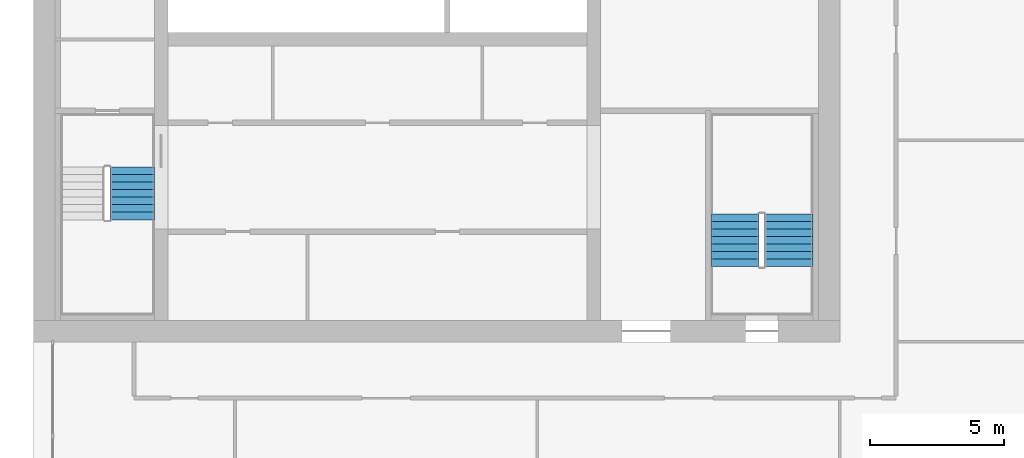
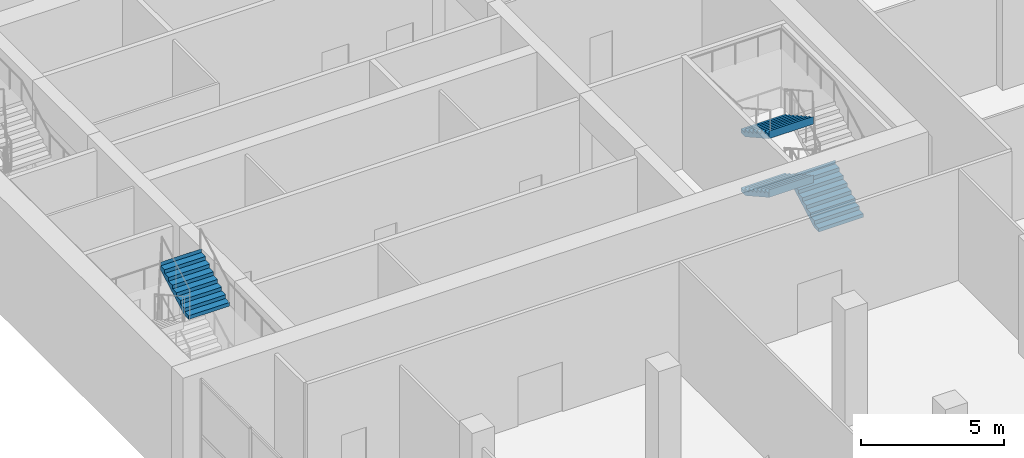
# One storey, part 14 of 19: 4 stair flights, 2 elements without a shape of their own.
"""IFC4 building model written with IfcOpenShell, lengths in metres."""

from ifc_helpers import new_model, si_unit, direction, frame, origin, place, context, subcontext, project, spatial, polyline, outline, extrude, material, type_object, element, aggregate, save


model = new_model("IFC4")

# Units and contexts
model_context = context("Model", 3, precision=1e-05, world=origin(), true_north=direction((0.0, 1.0)))
body_context = subcontext(model_context, "Body", "Model", "MODEL_VIEW")
ifc_project = project(units=[si_unit("LENGTHUNIT", "METRE"), si_unit("AREAUNIT", "SQUARE_METRE"), si_unit("VOLUMEUNIT", "CUBIC_METRE"), si_unit("PLANEANGLEUNIT", "RADIAN"), si_unit("MASSUNIT", "GRAM", prefix="KILO")], contexts=[model_context])

# Site, building, storey
site_placement = place(None, origin())
site = spatial("IfcSite", under=ifc_project, at=site_placement, CompositionType="ELEMENT")
building_placement = place(site_placement, origin())
building = spatial("IfcBuilding", under=site, at=building_placement, Name="Tamorin Gate", CompositionType="ELEMENT")
storey_placement = place(building_placement, frame((0.0, 0.0, 174.199951171875)))
storey = spatial("IfcBuildingStorey", under=building, at=storey_placement, Name="L42", CompositionType="ELEMENT", Elevation=174.199951171875)

# Stair, stair flight
ifc_material = material(Name="Concrete C40/50", Category="concrete")
stair_type = type_object("IfcStairType", Name="Exit stair", PredefinedType="HALF_TURN_STAIR", material=ifc_material)
stair_1_placement = place(storey_placement, origin())
stair_1 = element("IfcStair", 1, at=stair_1_placement, inside=storey, type_object=stair_type, Name="L42 stair ST1", PredefinedType="HALF_TURN_STAIR")
stair_flight_type = type_object("IfcStairFlightType", Name="Exit stair flight", PredefinedType="STRAIGHT", material=ifc_material)
stair_flight_1_placement = place(storey_placement, frame((33.675048828125, 64.5400390625, 3.75), z_axis=(0.0, 0.0, 1.0), x_axis=(0.0, 1.0, 0.0)))
stair_flight_1 = element("IfcStairFlight", 2, at=stair_flight_1_placement, type_object=stair_flight_type, Name="ST1 flight 4", NumberOfRisers=8, NumberOfTreads=7, PredefinedType="STRAIGHT", RiserHeight=0.15625, TreadLength=0.28, context=body_context, shape_type="SweptSolid", body=[
    extrude(outline(polyline([(-0.00048828125, 0.0), (-0.00048828125, 0.00146484375), (-0.00048828125, 0.003173828125), (-0.00048828125, 0.004638671875), (-0.00048828125, 0.006103515625), (-0.00048828125, 0.0078125), (-0.00048828125, 0.00927734375), (-0.00048828125, 0.0107421875), (-0.00048828125, 0.012451171875), (-0.00048828125, 0.013916015625), (-0.00048828125, 0.015380859375), (-0.00048828125, 0.01708984375), (-0.00048828125, 0.0185546875), (-0.00048828125, 0.02001953125), (-0.00048828125, 0.021728515625), (-0.00048828125, 0.023193359375), (-0.00048828125, 0.024658203125), (-0.00048828125, 0.0263671875), (-0.00048828125, 0.02783203125), (-0.00048828125, 0.029296875), (-0.00048828125, 0.031005859375), (-0.00048828125, 0.032470703125), (-0.00048828125, 0.033935546875), (-0.00048828125, 0.03564453125), (-0.00048828125, 0.037109375), (-0.00048828125, 0.03857421875), (-0.00048828125, 0.040283203125), (-0.00048828125, 0.041748046875), (-0.00048828125, 0.043212890625), (-0.00048828125, 0.044921875), (-0.00048828125, 0.04638671875), (-0.00048828125, 0.0478515625), (-0.00048828125, 0.049560546875), (-0.00048828125, 0.051025390625), (-0.00048828125, 0.052490234375), (-0.00048828125, 0.05419921875), (-0.00048828125, 0.0556640625), (-0.00048828125, 0.05712890625), (-0.00048828125, 0.058837890625), (-0.00048828125, 0.060302734375), (-0.00048828125, 0.061767578125), (-0.00048828125, 0.0634765625), (-0.00048828125, 0.06494140625), (-0.00048828125, 0.06640625), (-0.00048828125, 0.068115234375), (-0.00048828125, 0.069580078125), (-0.00048828125, 0.071044921875), (-0.00048828125, 0.07275390625), (-0.00048828125, 0.07421875), (-0.00048828125, 0.07568359375), (-0.00048828125, 0.077392578125), (-0.00048828125, 0.078857421875), (-0.00048828125, 0.08056640625), (-0.00048828125, 0.08203125), (-0.00048828125, 0.08349609375), (-0.00048828125, 0.085205078125), (-0.00048828125, 0.086669921875), (-0.00048828125, 0.088134765625), (-0.00048828125, 0.08984375), (-0.00048828125, 0.09130859375), (-0.00048828125, 0.0927734375), (-0.00048828125, 0.094482421875), (-0.00048828125, 0.095947265625), (-0.00048828125, 0.097412109375), (-0.00048828125, 0.09912109375), (-0.00048828125, 0.1005859375), (-0.00048828125, 0.10205078125), (-0.00048828125, 0.103759765625), (-0.00048828125, 0.105224609375), (-0.00048828125, 0.106689453125), (-0.00048828125, 0.1083984375), (-0.00048828125, 0.10986328125), (-0.00048828125, 0.111328125), (-0.00048828125, 0.113037109375), (-0.00048828125, 0.114501953125), (-0.00048828125, 0.115966796875), (-0.00048828125, 0.11767578125), (-0.00048828125, 0.119140625), (-0.00048828125, 0.12060546875), (-0.00048828125, 0.122314453125), (-0.00048828125, 0.123779296875), (-0.00048828125, 0.125244140625), (-0.00048828125, 0.126953125), (-0.00048828125, 0.12841796875), (-0.00048828125, 0.1298828125), (-0.00048828125, 0.131591796875), (-0.00048828125, 0.133056640625), (-0.00048828125, 0.134521484375), (-0.00048828125, 0.13623046875), (-0.00048828125, 0.1376953125), (-0.00048828125, 0.13916015625), (-0.00048828125, 0.140869140625), (-0.00048828125, 0.142333984375), (-0.00048828125, 0.143798828125), (-0.00048828125, 0.1455078125), (-0.00048828125, 0.14697265625), (-0.00048828125, 0.1484375), (-0.00048828125, 0.150146484375), (-0.00048828125, 0.151611328125), (-0.00048828125, 0.153076171875), (-0.00048828125, 0.15478515625), (-0.00048828125, 0.15625), (0.280029296875, 0.15625), (0.280029296875, 0.3125), (0.56005859375, 0.3125), (0.56005859375, 0.46875), (0.840087890625, 0.46875), (0.840087890625, 0.625), (1.1201171875, 0.625), (1.1201171875, 0.78125), (1.39990234375, 0.78125), (1.39990234375, 0.9375), (1.679931640625, 0.9375), (1.679931640625, 1.09375), (1.9599609375, 1.09375), (1.9599609375, 1.25), (1.96044921875, 1.25), (1.96044921875, 1.246826171875), (1.96044921875, 1.243408203125), (1.96044921875, 1.240234375), (1.96044921875, 1.237060546875), (1.96044921875, 1.23388671875), (1.96044921875, 1.23046875), (1.96044921875, 1.227294921875), (1.96044921875, 1.22412109375), (1.96044921875, 1.220703125), (1.96044921875, 1.217529296875), (1.96044921875, 1.21435546875), (1.96044921875, 1.2109375), (1.96044921875, 1.207763671875), (1.96044921875, 1.20458984375), (1.96044921875, 1.201416015625), (1.96044921875, 1.197998046875), (1.96044921875, 1.19482421875), (1.96044921875, 1.191650390625), (1.96044921875, 1.188232421875), (1.96044921875, 1.18505859375), (1.96044921875, 1.181884765625), (1.96044921875, 1.178466796875), (1.96044921875, 1.17529296875), (1.96044921875, 1.172119140625), (1.96044921875, 1.1689453125), (1.96044921875, 1.16552734375), (1.96044921875, 1.162353515625), (1.96044921875, 1.1591796875), (1.96044921875, 1.15576171875), (1.96044921875, 1.152587890625), (1.96044921875, 1.1494140625), (1.96044921875, 1.14599609375), (1.96044921875, 1.142822265625), (1.96044921875, 1.1396484375), (1.96044921875, 1.136474609375), (1.96044921875, 1.133056640625), (1.96044921875, 1.1298828125), (1.96044921875, 1.126708984375), (1.96044921875, 1.123291015625), (1.96044921875, 1.1201171875), (1.96044921875, 1.116943359375), (1.96044921875, 1.113525390625), (1.96044921875, 1.1103515625), (1.96044921875, 1.107177734375), (1.96044921875, 1.10400390625), (1.96044921875, 1.1005859375), (1.96044921875, 1.097412109375), (1.96044921875, 1.09423828125), (1.96044921875, 1.0908203125), (1.96044921875, 1.087646484375), (1.96044921875, 1.08447265625), (1.96044921875, 1.0810546875), (1.96044921875, 1.077880859375), (1.96044921875, 1.07470703125), (1.96044921875, 1.071533203125), (1.96044921875, 1.068115234375), (1.96044921875, 1.06494140625), (1.96044921875, 1.061767578125), (1.96044921875, 1.058349609375), (1.96044921875, 1.05517578125), (1.96044921875, 1.052001953125), (1.96044921875, 1.048828125), (1.96044921875, 1.04541015625), (1.96044921875, 1.042236328125), (1.96044921875, 1.0390625), (1.96044921875, 1.03564453125), (1.96044921875, 1.032470703125), (1.96044921875, 1.029296875), (1.96044921875, 1.02587890625), (1.96044921875, 1.022705078125), (1.96044921875, 1.01953125), (1.96044921875, 1.016357421875), (1.96044921875, 1.012939453125), (1.96044921875, 1.009765625), (1.96044921875, 1.006591796875), (1.96044921875, 1.003173828125), (1.96044921875, 1.0), (1.96044921875, 0.996826171875), (1.96044921875, 0.993408203125), (1.96044921875, 0.990234375), (1.96044921875, 0.987060546875), (1.96044921875, 0.98388671875), (1.96044921875, 0.98046875), (1.96044921875, 0.977294921875), (1.96044921875, 0.97412109375), (1.96044921875, 0.970703125), (1.96044921875, 0.967529296875), (1.96044921875, 0.96435546875), (1.96044921875, 0.9609375), (1.96044921875, 0.957763671875), (1.96044921875, 0.95458984375), (1.96044921875, 0.951416015625), (1.96044921875, 0.947998046875), (1.96044921875, 0.94482421875), (1.96044921875, 0.941650390625), (1.96044921875, 0.938232421875), (1.96044921875, 0.93505859375), (1.96044921875, 0.931884765625), (1.96044921875, 0.928466796875), (1.96044921875, 0.92529296875), (1.96044921875, 0.922119140625), (1.9599609375, 0.922119140625), (0.3076171875, 0.0), (-0.00048828125, 0.0)])), frame((0.0, 0.824951171875, 0.0), z_axis=(0.0, -1.0, 0.0), x_axis=(1.0, 0.0, 0.0)), (0.0, 0.0, 1.0), 1.64990234375),
])
aggregate(stair_1, [stair_flight_1])

# Stair, stair flights
stair_2_placement = place(storey_placement, origin())
stair_2 = element("IfcStair", 3, at=stair_2_placement, inside=storey, type_object=stair_type, Name="L42 stair ST3", PredefinedType="HALF_TURN_STAIR")
stair_flight_2_placement = place(storey_placement, frame((58.10009765625, 62.800048828125, 0.0), z_axis=(0.0, 0.0, 1.0), x_axis=(0.0, 1.0, 0.0)))
stair_flight_2 = element("IfcStairFlight", 4, at=stair_flight_2_placement, type_object=stair_flight_type, Name="ST3 flight 1", NumberOfRisers=8, NumberOfTreads=7, PredefinedType="STRAIGHT", RiserHeight=0.15625, TreadLength=0.28, context=body_context, shape_type="SweptSolid", body=[
    extrude(outline(polyline([(-0.00048828125, 0.0), (-0.00048828125, 0.00146484375), (-0.00048828125, 0.003173828125), (-0.00048828125, 0.004638671875), (-0.00048828125, 0.006103515625), (-0.00048828125, 0.0078125), (-0.00048828125, 0.00927734375), (-0.00048828125, 0.0107421875), (-0.00048828125, 0.012451171875), (-0.00048828125, 0.013916015625), (-0.00048828125, 0.015380859375), (-0.00048828125, 0.01708984375), (-0.00048828125, 0.0185546875), (-0.00048828125, 0.02001953125), (-0.00048828125, 0.021728515625), (-0.00048828125, 0.023193359375), (-0.00048828125, 0.024658203125), (-0.00048828125, 0.0263671875), (-0.00048828125, 0.02783203125), (-0.00048828125, 0.029296875), (-0.00048828125, 0.031005859375), (-0.00048828125, 0.032470703125), (-0.00048828125, 0.033935546875), (-0.00048828125, 0.03564453125), (-0.00048828125, 0.037109375), (-0.00048828125, 0.03857421875), (-0.00048828125, 0.040283203125), (-0.00048828125, 0.041748046875), (-0.00048828125, 0.043212890625), (-0.00048828125, 0.044921875), (-0.00048828125, 0.04638671875), (-0.00048828125, 0.0478515625), (-0.00048828125, 0.049560546875), (-0.00048828125, 0.051025390625), (-0.00048828125, 0.052490234375), (-0.00048828125, 0.05419921875), (-0.00048828125, 0.0556640625), (-0.00048828125, 0.05712890625), (-0.00048828125, 0.058837890625), (-0.00048828125, 0.060302734375), (-0.00048828125, 0.061767578125), (-0.00048828125, 0.0634765625), (-0.00048828125, 0.06494140625), (-0.00048828125, 0.06640625), (-0.00048828125, 0.068115234375), (-0.00048828125, 0.069580078125), (-0.00048828125, 0.071044921875), (-0.00048828125, 0.07275390625), (-0.00048828125, 0.07421875), (-0.00048828125, 0.07568359375), (-0.00048828125, 0.077392578125), (-0.00048828125, 0.078857421875), (-0.00048828125, 0.08056640625), (-0.00048828125, 0.08203125), (-0.00048828125, 0.08349609375), (-0.00048828125, 0.085205078125), (-0.00048828125, 0.086669921875), (-0.00048828125, 0.088134765625), (-0.00048828125, 0.08984375), (-0.00048828125, 0.09130859375), (-0.00048828125, 0.0927734375), (-0.00048828125, 0.094482421875), (-0.00048828125, 0.095947265625), (-0.00048828125, 0.097412109375), (-0.00048828125, 0.09912109375), (-0.00048828125, 0.1005859375), (-0.00048828125, 0.10205078125), (-0.00048828125, 0.103759765625), (-0.00048828125, 0.105224609375), (-0.00048828125, 0.106689453125), (-0.00048828125, 0.1083984375), (-0.00048828125, 0.10986328125), (-0.00048828125, 0.111328125), (-0.00048828125, 0.113037109375), (-0.00048828125, 0.114501953125), (-0.00048828125, 0.115966796875), (-0.00048828125, 0.11767578125), (-0.00048828125, 0.119140625), (-0.00048828125, 0.12060546875), (-0.00048828125, 0.122314453125), (-0.00048828125, 0.123779296875), (-0.00048828125, 0.125244140625), (-0.00048828125, 0.126953125), (-0.00048828125, 0.12841796875), (-0.00048828125, 0.1298828125), (-0.00048828125, 0.131591796875), (-0.00048828125, 0.133056640625), (-0.00048828125, 0.134521484375), (-0.00048828125, 0.13623046875), (-0.00048828125, 0.1376953125), (-0.00048828125, 0.13916015625), (-0.00048828125, 0.140869140625), (-0.00048828125, 0.142333984375), (-0.00048828125, 0.143798828125), (-0.00048828125, 0.1455078125), (-0.00048828125, 0.14697265625), (-0.00048828125, 0.1484375), (-0.00048828125, 0.150146484375), (-0.00048828125, 0.151611328125), (-0.00048828125, 0.153076171875), (-0.00048828125, 0.15478515625), (-0.00048828125, 0.15625), (0.280029296875, 0.15625), (0.280029296875, 0.3125), (0.56005859375, 0.3125), (0.56005859375, 0.46875), (0.840087890625, 0.46875), (0.840087890625, 0.625), (1.1201171875, 0.625), (1.1201171875, 0.78125), (1.39990234375, 0.78125), (1.39990234375, 0.9375), (1.679931640625, 0.9375), (1.679931640625, 1.09375), (1.9599609375, 1.09375), (1.9599609375, 1.25), (1.96044921875, 1.25), (1.96044921875, 1.246826171875), (1.96044921875, 1.243408203125), (1.96044921875, 1.240234375), (1.96044921875, 1.237060546875), (1.96044921875, 1.23388671875), (1.96044921875, 1.23046875), (1.96044921875, 1.227294921875), (1.96044921875, 1.22412109375), (1.96044921875, 1.220703125), (1.96044921875, 1.217529296875), (1.96044921875, 1.21435546875), (1.96044921875, 1.2109375), (1.96044921875, 1.207763671875), (1.96044921875, 1.20458984375), (1.96044921875, 1.201416015625), (1.96044921875, 1.197998046875), (1.96044921875, 1.19482421875), (1.96044921875, 1.191650390625), (1.96044921875, 1.188232421875), (1.96044921875, 1.18505859375), (1.96044921875, 1.181884765625), (1.96044921875, 1.178466796875), (1.96044921875, 1.17529296875), (1.96044921875, 1.172119140625), (1.96044921875, 1.1689453125), (1.96044921875, 1.16552734375), (1.96044921875, 1.162353515625), (1.96044921875, 1.1591796875), (1.96044921875, 1.15576171875), (1.96044921875, 1.152587890625), (1.96044921875, 1.1494140625), (1.96044921875, 1.14599609375), (1.96044921875, 1.142822265625), (1.96044921875, 1.1396484375), (1.96044921875, 1.136474609375), (1.96044921875, 1.133056640625), (1.96044921875, 1.1298828125), (1.96044921875, 1.126708984375), (1.96044921875, 1.123291015625), (1.96044921875, 1.1201171875), (1.96044921875, 1.116943359375), (1.96044921875, 1.113525390625), (1.96044921875, 1.1103515625), (1.96044921875, 1.107177734375), (1.96044921875, 1.10400390625), (1.96044921875, 1.1005859375), (1.96044921875, 1.097412109375), (1.96044921875, 1.09423828125), (1.96044921875, 1.0908203125), (1.96044921875, 1.087646484375), (1.96044921875, 1.08447265625), (1.96044921875, 1.0810546875), (1.96044921875, 1.077880859375), (1.96044921875, 1.07470703125), (1.96044921875, 1.071533203125), (1.96044921875, 1.068115234375), (1.96044921875, 1.06494140625), (1.96044921875, 1.061767578125), (1.96044921875, 1.058349609375), (1.96044921875, 1.05517578125), (1.96044921875, 1.052001953125), (1.96044921875, 1.048828125), (1.96044921875, 1.04541015625), (1.96044921875, 1.042236328125), (1.96044921875, 1.0390625), (1.96044921875, 1.03564453125), (1.96044921875, 1.032470703125), (1.96044921875, 1.029296875), (1.96044921875, 1.02587890625), (1.96044921875, 1.022705078125), (1.96044921875, 1.01953125), (1.96044921875, 1.016357421875), (1.96044921875, 1.012939453125), (1.96044921875, 1.009765625), (1.96044921875, 1.006591796875), (1.96044921875, 1.003173828125), (1.96044921875, 1.0), (1.96044921875, 0.996826171875), (1.96044921875, 0.993408203125), (1.96044921875, 0.990234375), (1.96044921875, 0.987060546875), (1.96044921875, 0.98388671875), (1.96044921875, 0.98046875), (1.96044921875, 0.977294921875), (1.96044921875, 0.97412109375), (1.96044921875, 0.970703125), (1.96044921875, 0.967529296875), (1.96044921875, 0.96435546875), (1.96044921875, 0.9609375), (1.96044921875, 0.957763671875), (1.96044921875, 0.95458984375), (1.96044921875, 0.951416015625), (1.96044921875, 0.947998046875), (1.96044921875, 0.94482421875), (1.96044921875, 0.941650390625), (1.96044921875, 0.938232421875), (1.96044921875, 0.93505859375), (1.96044921875, 0.931884765625), (1.96044921875, 0.928466796875), (1.96044921875, 0.92529296875), (1.96044921875, 0.922119140625), (1.9599609375, 0.922119140625), (0.3076171875, 0.0), (-0.00048828125, 0.0)])), frame((0.0, 0.89990234375, 0.0), z_axis=(0.0, -1.0, 0.0), x_axis=(1.0, 0.0, 0.0)), (0.0, 0.0, 1.0), 1.800048828125),
])
stair_flight_3_placement = place(storey_placement, frame((56.10009765625, 64.760009765625, 1.25), z_axis=(0.0, 0.0, 1.0), x_axis=(0.0, -1.0, 0.0)))
stair_flight_3 = element("IfcStairFlight", 5, at=stair_flight_3_placement, type_object=stair_flight_type, Name="ST3 flight 2", NumberOfRisers=8, NumberOfTreads=7, PredefinedType="STRAIGHT", RiserHeight=0.15625, TreadLength=0.28, context=body_context, shape_type="SweptSolid", body=[
    extrude(outline(polyline([(-0.00048828125, 0.0), (-0.00048828125, 0.00146484375), (-0.00048828125, 0.003173828125), (-0.00048828125, 0.004638671875), (-0.00048828125, 0.006103515625), (-0.00048828125, 0.0078125), (-0.00048828125, 0.00927734375), (-0.00048828125, 0.0107421875), (-0.00048828125, 0.012451171875), (-0.00048828125, 0.013916015625), (-0.00048828125, 0.015380859375), (-0.00048828125, 0.01708984375), (-0.00048828125, 0.0185546875), (-0.00048828125, 0.02001953125), (-0.00048828125, 0.021728515625), (-0.00048828125, 0.023193359375), (-0.00048828125, 0.024658203125), (-0.00048828125, 0.0263671875), (-0.00048828125, 0.02783203125), (-0.00048828125, 0.029296875), (-0.00048828125, 0.031005859375), (-0.00048828125, 0.032470703125), (-0.00048828125, 0.033935546875), (-0.00048828125, 0.03564453125), (-0.00048828125, 0.037109375), (-0.00048828125, 0.03857421875), (-0.00048828125, 0.040283203125), (-0.00048828125, 0.041748046875), (-0.00048828125, 0.043212890625), (-0.00048828125, 0.044921875), (-0.00048828125, 0.04638671875), (-0.00048828125, 0.0478515625), (-0.00048828125, 0.049560546875), (-0.00048828125, 0.051025390625), (-0.00048828125, 0.052490234375), (-0.00048828125, 0.05419921875), (-0.00048828125, 0.0556640625), (-0.00048828125, 0.05712890625), (-0.00048828125, 0.058837890625), (-0.00048828125, 0.060302734375), (-0.00048828125, 0.061767578125), (-0.00048828125, 0.0634765625), (-0.00048828125, 0.06494140625), (-0.00048828125, 0.06640625), (-0.00048828125, 0.068115234375), (-0.00048828125, 0.069580078125), (-0.00048828125, 0.071044921875), (-0.00048828125, 0.07275390625), (-0.00048828125, 0.07421875), (-0.00048828125, 0.07568359375), (-0.00048828125, 0.077392578125), (-0.00048828125, 0.078857421875), (-0.00048828125, 0.08056640625), (-0.00048828125, 0.08203125), (-0.00048828125, 0.08349609375), (-0.00048828125, 0.085205078125), (-0.00048828125, 0.086669921875), (-0.00048828125, 0.088134765625), (-0.00048828125, 0.08984375), (-0.00048828125, 0.09130859375), (-0.00048828125, 0.0927734375), (-0.00048828125, 0.094482421875), (-0.00048828125, 0.095947265625), (-0.00048828125, 0.097412109375), (-0.00048828125, 0.09912109375), (-0.00048828125, 0.1005859375), (-0.00048828125, 0.10205078125), (-0.00048828125, 0.103759765625), (-0.00048828125, 0.105224609375), (-0.00048828125, 0.106689453125), (-0.00048828125, 0.1083984375), (-0.00048828125, 0.10986328125), (-0.00048828125, 0.111328125), (-0.00048828125, 0.113037109375), (-0.00048828125, 0.114501953125), (-0.00048828125, 0.115966796875), (-0.00048828125, 0.11767578125), (-0.00048828125, 0.119140625), (-0.00048828125, 0.12060546875), (-0.00048828125, 0.122314453125), (-0.00048828125, 0.123779296875), (-0.00048828125, 0.125244140625), (-0.00048828125, 0.126953125), (-0.00048828125, 0.12841796875), (-0.00048828125, 0.1298828125), (-0.00048828125, 0.131591796875), (-0.00048828125, 0.133056640625), (-0.00048828125, 0.134521484375), (-0.00048828125, 0.13623046875), (-0.00048828125, 0.1376953125), (-0.00048828125, 0.13916015625), (-0.00048828125, 0.140869140625), (-0.00048828125, 0.142333984375), (-0.00048828125, 0.143798828125), (-0.00048828125, 0.1455078125), (-0.00048828125, 0.14697265625), (-0.00048828125, 0.1484375), (-0.00048828125, 0.150146484375), (-0.00048828125, 0.151611328125), (-0.00048828125, 0.153076171875), (-0.00048828125, 0.15478515625), (-0.00048828125, 0.15625), (0.280029296875, 0.15625), (0.280029296875, 0.3125), (0.56005859375, 0.3125), (0.56005859375, 0.46875), (0.840087890625, 0.46875), (0.840087890625, 0.625), (1.1201171875, 0.625), (1.1201171875, 0.78125), (1.39990234375, 0.78125), (1.39990234375, 0.9375), (1.679931640625, 0.9375), (1.679931640625, 1.09375), (1.9599609375, 1.09375), (1.9599609375, 1.25), (1.96044921875, 1.25), (1.96044921875, 1.246826171875), (1.96044921875, 1.243408203125), (1.96044921875, 1.240234375), (1.96044921875, 1.237060546875), (1.96044921875, 1.23388671875), (1.96044921875, 1.23046875), (1.96044921875, 1.227294921875), (1.96044921875, 1.22412109375), (1.96044921875, 1.220703125), (1.96044921875, 1.217529296875), (1.96044921875, 1.21435546875), (1.96044921875, 1.2109375), (1.96044921875, 1.207763671875), (1.96044921875, 1.20458984375), (1.96044921875, 1.201416015625), (1.96044921875, 1.197998046875), (1.96044921875, 1.19482421875), (1.96044921875, 1.191650390625), (1.96044921875, 1.188232421875), (1.96044921875, 1.18505859375), (1.96044921875, 1.181884765625), (1.96044921875, 1.178466796875), (1.96044921875, 1.17529296875), (1.96044921875, 1.172119140625), (1.96044921875, 1.1689453125), (1.96044921875, 1.16552734375), (1.96044921875, 1.162353515625), (1.96044921875, 1.1591796875), (1.96044921875, 1.15576171875), (1.96044921875, 1.152587890625), (1.96044921875, 1.1494140625), (1.96044921875, 1.14599609375), (1.96044921875, 1.142822265625), (1.96044921875, 1.1396484375), (1.96044921875, 1.136474609375), (1.96044921875, 1.133056640625), (1.96044921875, 1.1298828125), (1.96044921875, 1.126708984375), (1.96044921875, 1.123291015625), (1.96044921875, 1.1201171875), (1.96044921875, 1.116943359375), (1.96044921875, 1.113525390625), (1.96044921875, 1.1103515625), (1.96044921875, 1.107177734375), (1.96044921875, 1.10400390625), (1.96044921875, 1.1005859375), (1.96044921875, 1.097412109375), (1.96044921875, 1.09423828125), (1.96044921875, 1.0908203125), (1.96044921875, 1.087646484375), (1.96044921875, 1.08447265625), (1.96044921875, 1.0810546875), (1.96044921875, 1.077880859375), (1.96044921875, 1.07470703125), (1.96044921875, 1.071533203125), (1.96044921875, 1.068115234375), (1.96044921875, 1.06494140625), (1.96044921875, 1.061767578125), (1.96044921875, 1.058349609375), (1.96044921875, 1.05517578125), (1.96044921875, 1.052001953125), (1.96044921875, 1.048828125), (1.96044921875, 1.04541015625), (1.96044921875, 1.042236328125), (1.96044921875, 1.0390625), (1.96044921875, 1.03564453125), (1.96044921875, 1.032470703125), (1.96044921875, 1.029296875), (1.96044921875, 1.02587890625), (1.96044921875, 1.022705078125), (1.96044921875, 1.01953125), (1.96044921875, 1.016357421875), (1.96044921875, 1.012939453125), (1.96044921875, 1.009765625), (1.96044921875, 1.006591796875), (1.96044921875, 1.003173828125), (1.96044921875, 1.0), (1.96044921875, 0.996826171875), (1.96044921875, 0.993408203125), (1.96044921875, 0.990234375), (1.96044921875, 0.987060546875), (1.96044921875, 0.98388671875), (1.96044921875, 0.98046875), (1.96044921875, 0.977294921875), (1.96044921875, 0.97412109375), (1.96044921875, 0.970703125), (1.96044921875, 0.967529296875), (1.96044921875, 0.96435546875), (1.96044921875, 0.9609375), (1.96044921875, 0.957763671875), (1.96044921875, 0.95458984375), (1.96044921875, 0.951416015625), (1.96044921875, 0.947998046875), (1.96044921875, 0.94482421875), (1.96044921875, 0.941650390625), (1.96044921875, 0.938232421875), (1.96044921875, 0.93505859375), (1.96044921875, 0.931884765625), (1.96044921875, 0.928466796875), (1.96044921875, 0.92529296875), (1.96044921875, 0.922119140625), (1.9599609375, 0.922119140625), (0.3076171875, 0.0), (-0.00048828125, 0.0)])), frame((0.0, 0.89990234375, 0.0), z_axis=(0.0, -1.0, 0.0), x_axis=(1.0, 0.0, 0.0)), (0.0, 0.0, 1.0), 1.800048828125),
])
stair_flight_4_placement = place(storey_placement, frame((56.10009765625, 64.760009765625, 3.75), z_axis=(0.0, 0.0, 1.0), x_axis=(0.0, -1.0, 0.0)))
stair_flight_4 = element("IfcStairFlight", 6, at=stair_flight_4_placement, type_object=stair_flight_type, Name="ST3 flight 4", NumberOfRisers=8, NumberOfTreads=7, PredefinedType="STRAIGHT", RiserHeight=0.15625, TreadLength=0.28, context=body_context, shape_type="SweptSolid", body=[
    extrude(outline(polyline([(-0.00048828125, 0.0), (-0.00048828125, 0.00146484375), (-0.00048828125, 0.003173828125), (-0.00048828125, 0.004638671875), (-0.00048828125, 0.006103515625), (-0.00048828125, 0.0078125), (-0.00048828125, 0.00927734375), (-0.00048828125, 0.0107421875), (-0.00048828125, 0.012451171875), (-0.00048828125, 0.013916015625), (-0.00048828125, 0.015380859375), (-0.00048828125, 0.01708984375), (-0.00048828125, 0.0185546875), (-0.00048828125, 0.02001953125), (-0.00048828125, 0.021728515625), (-0.00048828125, 0.023193359375), (-0.00048828125, 0.024658203125), (-0.00048828125, 0.0263671875), (-0.00048828125, 0.02783203125), (-0.00048828125, 0.029296875), (-0.00048828125, 0.031005859375), (-0.00048828125, 0.032470703125), (-0.00048828125, 0.033935546875), (-0.00048828125, 0.03564453125), (-0.00048828125, 0.037109375), (-0.00048828125, 0.03857421875), (-0.00048828125, 0.040283203125), (-0.00048828125, 0.041748046875), (-0.00048828125, 0.043212890625), (-0.00048828125, 0.044921875), (-0.00048828125, 0.04638671875), (-0.00048828125, 0.0478515625), (-0.00048828125, 0.049560546875), (-0.00048828125, 0.051025390625), (-0.00048828125, 0.052490234375), (-0.00048828125, 0.05419921875), (-0.00048828125, 0.0556640625), (-0.00048828125, 0.05712890625), (-0.00048828125, 0.058837890625), (-0.00048828125, 0.060302734375), (-0.00048828125, 0.061767578125), (-0.00048828125, 0.0634765625), (-0.00048828125, 0.06494140625), (-0.00048828125, 0.06640625), (-0.00048828125, 0.068115234375), (-0.00048828125, 0.069580078125), (-0.00048828125, 0.071044921875), (-0.00048828125, 0.07275390625), (-0.00048828125, 0.07421875), (-0.00048828125, 0.07568359375), (-0.00048828125, 0.077392578125), (-0.00048828125, 0.078857421875), (-0.00048828125, 0.08056640625), (-0.00048828125, 0.08203125), (-0.00048828125, 0.08349609375), (-0.00048828125, 0.085205078125), (-0.00048828125, 0.086669921875), (-0.00048828125, 0.088134765625), (-0.00048828125, 0.08984375), (-0.00048828125, 0.09130859375), (-0.00048828125, 0.0927734375), (-0.00048828125, 0.094482421875), (-0.00048828125, 0.095947265625), (-0.00048828125, 0.097412109375), (-0.00048828125, 0.09912109375), (-0.00048828125, 0.1005859375), (-0.00048828125, 0.10205078125), (-0.00048828125, 0.103759765625), (-0.00048828125, 0.105224609375), (-0.00048828125, 0.106689453125), (-0.00048828125, 0.1083984375), (-0.00048828125, 0.10986328125), (-0.00048828125, 0.111328125), (-0.00048828125, 0.113037109375), (-0.00048828125, 0.114501953125), (-0.00048828125, 0.115966796875), (-0.00048828125, 0.11767578125), (-0.00048828125, 0.119140625), (-0.00048828125, 0.12060546875), (-0.00048828125, 0.122314453125), (-0.00048828125, 0.123779296875), (-0.00048828125, 0.125244140625), (-0.00048828125, 0.126953125), (-0.00048828125, 0.12841796875), (-0.00048828125, 0.1298828125), (-0.00048828125, 0.131591796875), (-0.00048828125, 0.133056640625), (-0.00048828125, 0.134521484375), (-0.00048828125, 0.13623046875), (-0.00048828125, 0.1376953125), (-0.00048828125, 0.13916015625), (-0.00048828125, 0.140869140625), (-0.00048828125, 0.142333984375), (-0.00048828125, 0.143798828125), (-0.00048828125, 0.1455078125), (-0.00048828125, 0.14697265625), (-0.00048828125, 0.1484375), (-0.00048828125, 0.150146484375), (-0.00048828125, 0.151611328125), (-0.00048828125, 0.153076171875), (-0.00048828125, 0.15478515625), (-0.00048828125, 0.15625), (0.280029296875, 0.15625), (0.280029296875, 0.3125), (0.56005859375, 0.3125), (0.56005859375, 0.46875), (0.840087890625, 0.46875), (0.840087890625, 0.625), (1.1201171875, 0.625), (1.1201171875, 0.78125), (1.39990234375, 0.78125), (1.39990234375, 0.9375), (1.679931640625, 0.9375), (1.679931640625, 1.09375), (1.9599609375, 1.09375), (1.9599609375, 1.25), (1.96044921875, 1.25), (1.96044921875, 1.246826171875), (1.96044921875, 1.243408203125), (1.96044921875, 1.240234375), (1.96044921875, 1.237060546875), (1.96044921875, 1.23388671875), (1.96044921875, 1.23046875), (1.96044921875, 1.227294921875), (1.96044921875, 1.22412109375), (1.96044921875, 1.220703125), (1.96044921875, 1.217529296875), (1.96044921875, 1.21435546875), (1.96044921875, 1.2109375), (1.96044921875, 1.207763671875), (1.96044921875, 1.20458984375), (1.96044921875, 1.201416015625), (1.96044921875, 1.197998046875), (1.96044921875, 1.19482421875), (1.96044921875, 1.191650390625), (1.96044921875, 1.188232421875), (1.96044921875, 1.18505859375), (1.96044921875, 1.181884765625), (1.96044921875, 1.178466796875), (1.96044921875, 1.17529296875), (1.96044921875, 1.172119140625), (1.96044921875, 1.1689453125), (1.96044921875, 1.16552734375), (1.96044921875, 1.162353515625), (1.96044921875, 1.1591796875), (1.96044921875, 1.15576171875), (1.96044921875, 1.152587890625), (1.96044921875, 1.1494140625), (1.96044921875, 1.14599609375), (1.96044921875, 1.142822265625), (1.96044921875, 1.1396484375), (1.96044921875, 1.136474609375), (1.96044921875, 1.133056640625), (1.96044921875, 1.1298828125), (1.96044921875, 1.126708984375), (1.96044921875, 1.123291015625), (1.96044921875, 1.1201171875), (1.96044921875, 1.116943359375), (1.96044921875, 1.113525390625), (1.96044921875, 1.1103515625), (1.96044921875, 1.107177734375), (1.96044921875, 1.10400390625), (1.96044921875, 1.1005859375), (1.96044921875, 1.097412109375), (1.96044921875, 1.09423828125), (1.96044921875, 1.0908203125), (1.96044921875, 1.087646484375), (1.96044921875, 1.08447265625), (1.96044921875, 1.0810546875), (1.96044921875, 1.077880859375), (1.96044921875, 1.07470703125), (1.96044921875, 1.071533203125), (1.96044921875, 1.068115234375), (1.96044921875, 1.06494140625), (1.96044921875, 1.061767578125), (1.96044921875, 1.058349609375), (1.96044921875, 1.05517578125), (1.96044921875, 1.052001953125), (1.96044921875, 1.048828125), (1.96044921875, 1.04541015625), (1.96044921875, 1.042236328125), (1.96044921875, 1.0390625), (1.96044921875, 1.03564453125), (1.96044921875, 1.032470703125), (1.96044921875, 1.029296875), (1.96044921875, 1.02587890625), (1.96044921875, 1.022705078125), (1.96044921875, 1.01953125), (1.96044921875, 1.016357421875), (1.96044921875, 1.012939453125), (1.96044921875, 1.009765625), (1.96044921875, 1.006591796875), (1.96044921875, 1.003173828125), (1.96044921875, 1.0), (1.96044921875, 0.996826171875), (1.96044921875, 0.993408203125), (1.96044921875, 0.990234375), (1.96044921875, 0.987060546875), (1.96044921875, 0.98388671875), (1.96044921875, 0.98046875), (1.96044921875, 0.977294921875), (1.96044921875, 0.97412109375), (1.96044921875, 0.970703125), (1.96044921875, 0.967529296875), (1.96044921875, 0.96435546875), (1.96044921875, 0.9609375), (1.96044921875, 0.957763671875), (1.96044921875, 0.95458984375), (1.96044921875, 0.951416015625), (1.96044921875, 0.947998046875), (1.96044921875, 0.94482421875), (1.96044921875, 0.941650390625), (1.96044921875, 0.938232421875), (1.96044921875, 0.93505859375), (1.96044921875, 0.931884765625), (1.96044921875, 0.928466796875), (1.96044921875, 0.92529296875), (1.96044921875, 0.922119140625), (1.9599609375, 0.922119140625), (0.3076171875, 0.0), (-0.00048828125, 0.0)])), frame((0.0, 0.89990234375, 0.0), z_axis=(0.0, -1.0, 0.0), x_axis=(1.0, 0.0, 0.0)), (0.0, 0.0, 1.0), 1.800048828125),
])
aggregate(stair_2, [stair_flight_2, stair_flight_3, stair_flight_4])

save(model, "model.ifc")
